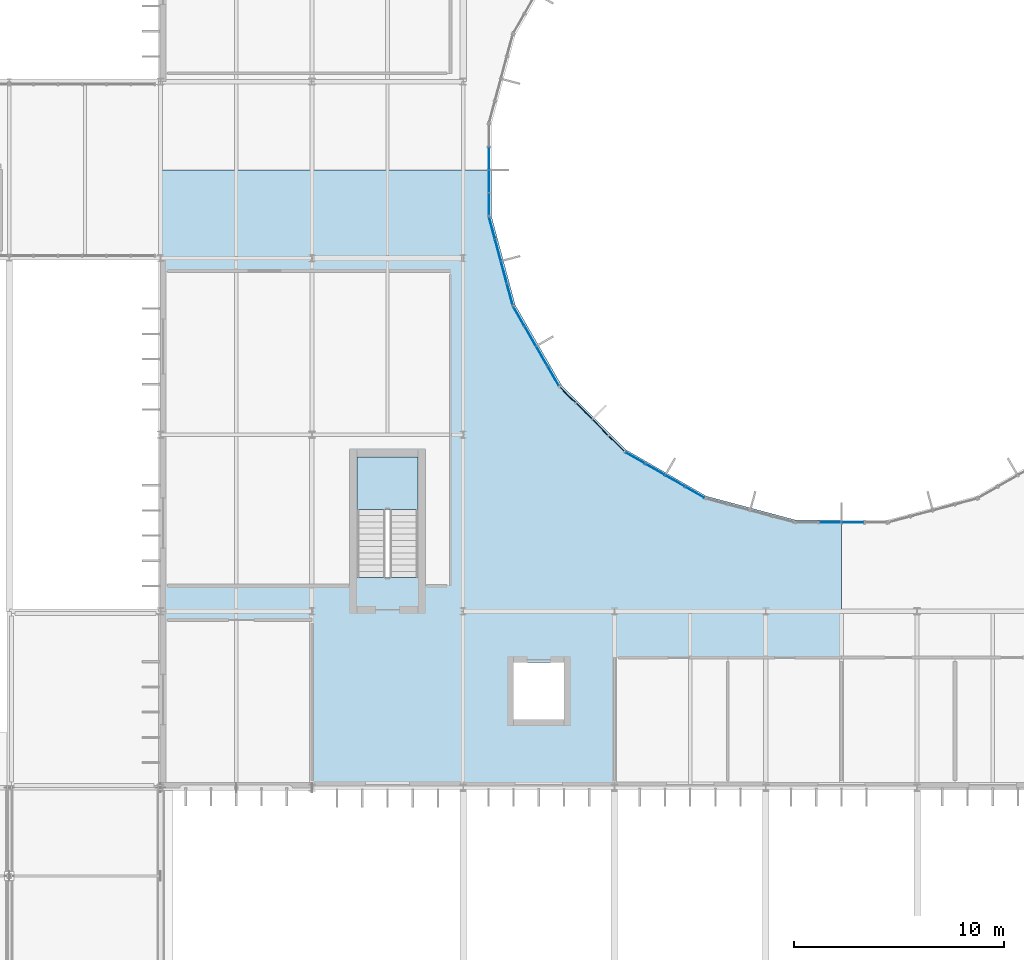
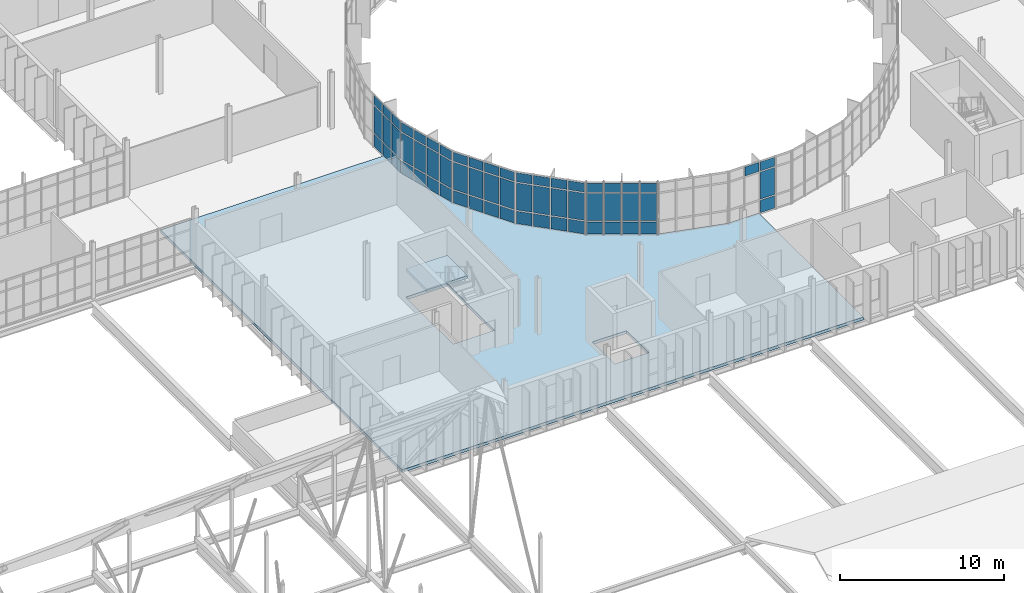
# One storey, part 59 of 99: 61 plates, 2 slabs, 7 elements without a shape of their own.
"""IFC4 building model written with IfcOpenShell, lengths in metres."""

from ifc_helpers import new_model, si_unit, direction, frame, origin, origin_2d, place, context, subcontext, project, spatial, polyline, rectangle, outline, extrude, material, layer, layer_set, type_object, element, aggregate, save


model = new_model("IFC4")

# Units and contexts
model_context = context("Model", 3, precision=1e-05, world=origin(), true_north=direction((0.0, 1.0)))
body_context = subcontext(model_context, "Body", "Model", "MODEL_VIEW")
ifc_project = project(units=[si_unit("LENGTHUNIT", "METRE"), si_unit("AREAUNIT", "SQUARE_METRE"), si_unit("VOLUMEUNIT", "CUBIC_METRE"), si_unit("PLANEANGLEUNIT", "RADIAN"), si_unit("MASSUNIT", "GRAM", prefix="KILO")], contexts=[model_context])

# Site, building, storey
site_placement = place(None, origin())
site = spatial("IfcSite", under=ifc_project, at=site_placement, CompositionType="ELEMENT")
building_placement = place(site_placement, origin())
building = spatial("IfcBuilding", under=site, at=building_placement, Name="Qelthora Terrace Specialist Clinic", CompositionType="ELEMENT")
storey_placement = place(building_placement, frame((0.0, 0.0, 9.0)))
storey = spatial("IfcBuildingStorey", under=building, at=storey_placement, Name="L02", CompositionType="ELEMENT", Elevation=9.0)

# Curtain wall, plates
ifc_material_1 = material(Name="Aluminium anodized bronze", Category="aluminium")
curtain_wall_type = type_object("IfcCurtainWallType", Name="CW-CRTE-UPP", PredefinedType="NOTDEFINED", material=ifc_material_1)
curtain_wall_1_placement = place(storey_placement, origin())
curtain_wall_1 = element("IfcCurtainWall", 1, at=curtain_wall_1_placement, inside=storey, type_object=curtain_wall_type, Name="Curtain wall CW-CE-L02-12", PredefinedType="NOTDEFINED")
ifc_material_2 = material(Name="Low-E triple-silver insulating glass", Category="glass")
ifc_layer_1 = layer(ifc_material_2, 0.035888671875)
ifc_layer_set_1 = layer_set([ifc_layer_1], Name="Low-E triple-silver insulating glass")
plate_type = type_object("IfcPlateType", Name="CWP-IGU-36", PredefinedType="CURTAIN_PANEL", material=ifc_layer_set_1)
plate_1_placement = place(storey_placement, frame((109.2236328125, 63.548095703125, 0.0849609375), z_axis=(0.0, 0.0, 1.0), x_axis=(0.0, -1.0, 0.0)))
plate_1 = element("IfcPlate", 2, at=plate_1_placement, type_object=plate_type, Name="CW-CE-L02-12 glazed panel 4", PredefinedType="CURTAIN_PANEL", context=body_context, shape_type="SweptSolid", body=[
    extrude(rectangle(XDim=0.996337890625, YDim=0.035888671875, at=origin_2d()), origin(), (0.0, 0.0, 1.0), 0.919921875),
])
plate_2_placement = place(storey_placement, frame((109.2236328125, 63.548095703125, 1.094970703125), z_axis=(0.0, 0.0, 1.0), x_axis=(0.0, -1.0, 0.0)))
plate_2 = element("IfcPlate", 3, at=plate_2_placement, type_object=plate_type, Name="CW-CE-L02-12 glazed panel 5", PredefinedType="CURTAIN_PANEL", context=body_context, shape_type="SweptSolid", body=[
    extrude(rectangle(XDim=0.996337890625, YDim=0.035888671875, at=origin_2d()), origin(), (0.0, 0.0, 1.0), 2.0048828125),
])
plate_3_placement = place(storey_placement, frame((109.2236328125, 63.548095703125, 3.18994140625), z_axis=(0.0, 0.0, 1.0), x_axis=(0.0, -1.0, 0.0)))
plate_3 = element("IfcPlate", 4, at=plate_3_placement, type_object=plate_type, Name="CW-CE-L02-12 glazed panel 6", PredefinedType="CURTAIN_PANEL", context=body_context, shape_type="SweptSolid", body=[
    extrude(rectangle(XDim=0.996337890625, YDim=0.035888671875, at=origin_2d()), origin(), (0.0, 0.0, 1.0), 0.669921875),
])
plate_4_placement = place(storey_placement, frame((109.2236328125, 62.451904296875, 0.0849609375), z_axis=(0.0, 0.0, 1.0), x_axis=(0.0, -1.0, 0.0)))
plate_4 = element("IfcPlate", 5, at=plate_4_placement, type_object=plate_type, Name="CW-CE-L02-12 glazed panel 7", PredefinedType="CURTAIN_PANEL", context=body_context, shape_type="SweptSolid", body=[
    extrude(rectangle(XDim=0.996337890625, YDim=0.035888671875, at=origin_2d()), origin(), (0.0, 0.0, 1.0), 0.919921875),
])
plate_5_placement = place(storey_placement, frame((109.2236328125, 62.451904296875, 1.094970703125), z_axis=(0.0, 0.0, 1.0), x_axis=(0.0, -1.0, 0.0)))
plate_5 = element("IfcPlate", 6, at=plate_5_placement, type_object=plate_type, Name="CW-CE-L02-12 glazed panel 8", PredefinedType="CURTAIN_PANEL", context=body_context, shape_type="SweptSolid", body=[
    extrude(rectangle(XDim=0.996337890625, YDim=0.035888671875, at=origin_2d()), origin(), (0.0, 0.0, 1.0), 2.0048828125),
])
plate_6_placement = place(storey_placement, frame((109.2236328125, 62.451904296875, 3.18994140625), z_axis=(0.0, 0.0, 1.0), x_axis=(0.0, -1.0, 0.0)))
plate_6 = element("IfcPlate", 7, at=plate_6_placement, type_object=plate_type, Name="CW-CE-L02-12 glazed panel 9", PredefinedType="CURTAIN_PANEL", context=body_context, shape_type="SweptSolid", body=[
    extrude(rectangle(XDim=0.996337890625, YDim=0.035888671875, at=origin_2d()), origin(), (0.0, 0.0, 1.0), 0.669921875),
])
plate_7_placement = place(storey_placement, frame((109.2236328125, 61.35546875, 0.0849609375), z_axis=(0.0, 0.0, 1.0), x_axis=(0.0, -1.0, 0.0)))
plate_7 = element("IfcPlate", 8, at=plate_7_placement, type_object=plate_type, Name="CW-CE-L02-12 glazed panel 10", PredefinedType="CURTAIN_PANEL", context=body_context, shape_type="SweptSolid", body=[
    extrude(rectangle(XDim=0.996337890625, YDim=0.035888671875, at=origin_2d()), origin(), (0.0, 0.0, 1.0), 0.919921875),
])
plate_8_placement = place(storey_placement, frame((109.2236328125, 61.35546875, 1.094970703125), z_axis=(0.0, 0.0, 1.0), x_axis=(0.0, -1.0, 0.0)))
plate_8 = element("IfcPlate", 9, at=plate_8_placement, type_object=plate_type, Name="CW-CE-L02-12 glazed panel 11", PredefinedType="CURTAIN_PANEL", context=body_context, shape_type="SweptSolid", body=[
    extrude(rectangle(XDim=0.996337890625, YDim=0.035888671875, at=origin_2d()), origin(), (0.0, 0.0, 1.0), 2.0048828125),
])
plate_9_placement = place(storey_placement, frame((109.2236328125, 61.35546875, 3.18994140625), z_axis=(0.0, 0.0, 1.0), x_axis=(0.0, -1.0, 0.0)))
plate_9 = element("IfcPlate", 10, at=plate_9_placement, type_object=plate_type, Name="CW-CE-L02-12 glazed panel 12", PredefinedType="CURTAIN_PANEL", context=body_context, shape_type="SweptSolid", body=[
    extrude(rectangle(XDim=0.996337890625, YDim=0.035888671875, at=origin_2d()), origin(), (0.0, 0.0, 1.0), 0.669921875),
])
aggregate(curtain_wall_1, [plate_1, plate_2, plate_3, plate_4, plate_5, plate_6, plate_7, plate_8, plate_9])

curtain_wall_2_placement = place(storey_placement, origin())
curtain_wall_2 = element("IfcCurtainWall", 11, at=curtain_wall_2_placement, inside=storey, type_object=curtain_wall_type, Name="Curtain wall CW-CE-L02-13", PredefinedType="NOTDEFINED")
plate_10_placement = place(storey_placement, frame((109.36962890625, 60.24658203125, 0.0849609375), z_axis=(0.0, 0.0, 1.0), x_axis=(0.258819045103, -0.965925826289, 0.0)))
plate_10 = element("IfcPlate", 12, at=plate_10_placement, type_object=plate_type, Name="CW-CE-L02-13 glazed panel 1", PredefinedType="CURTAIN_PANEL", context=body_context, shape_type="SweptSolid", body=[
    extrude(rectangle(XDim=0.996337890625, YDim=0.035888671875, at=origin_2d()), origin(), (0.0, 0.0, 1.0), 0.919921875),
])
plate_11_placement = place(storey_placement, frame((109.36962890625, 60.24658203125, 1.094970703125), z_axis=(0.0, 0.0, 1.0), x_axis=(0.258819045103, -0.965925826289, 0.0)))
plate_11 = element("IfcPlate", 13, at=plate_11_placement, type_object=plate_type, Name="CW-CE-L02-13 glazed panel 2", PredefinedType="CURTAIN_PANEL", context=body_context, shape_type="SweptSolid", body=[
    extrude(rectangle(XDim=0.996337890625, YDim=0.035888671875, at=origin_2d()), origin(), (0.0, 0.0, 1.0), 2.0048828125),
])
plate_12_placement = place(storey_placement, frame((109.36962890625, 60.24658203125, 3.18994140625), z_axis=(0.0, 0.0, 1.0), x_axis=(0.258819045103, -0.965925826289, 0.0)))
plate_12 = element("IfcPlate", 14, at=plate_12_placement, type_object=plate_type, Name="CW-CE-L02-13 glazed panel 3", PredefinedType="CURTAIN_PANEL", context=body_context, shape_type="SweptSolid", body=[
    extrude(rectangle(XDim=0.996337890625, YDim=0.035888671875, at=origin_2d()), origin(), (0.0, 0.0, 1.0), 0.669921875),
])
plate_13_placement = place(storey_placement, frame((109.653564453125, 59.1875, 0.0849609375), z_axis=(0.0, 0.0, 1.0), x_axis=(0.258819045103, -0.965925826289, 0.0)))
plate_13 = element("IfcPlate", 15, at=plate_13_placement, type_object=plate_type, Name="CW-CE-L02-13 glazed panel 4", PredefinedType="CURTAIN_PANEL", context=body_context, shape_type="SweptSolid", body=[
    extrude(rectangle(XDim=0.996337890625, YDim=0.035888671875, at=origin_2d()), origin(), (0.0, 0.0, 1.0), 0.919921875),
])
plate_14_placement = place(storey_placement, frame((109.653564453125, 59.1875, 1.094970703125), z_axis=(0.0, 0.0, 1.0), x_axis=(0.258819045103, -0.965925826289, 0.0)))
plate_14 = element("IfcPlate", 16, at=plate_14_placement, type_object=plate_type, Name="CW-CE-L02-13 glazed panel 5", PredefinedType="CURTAIN_PANEL", context=body_context, shape_type="SweptSolid", body=[
    extrude(rectangle(XDim=0.996337890625, YDim=0.035888671875, at=origin_2d()), origin(), (0.0, 0.0, 1.0), 2.0048828125),
])
plate_15_placement = place(storey_placement, frame((109.653564453125, 59.1875, 3.18994140625), z_axis=(0.0, 0.0, 1.0), x_axis=(0.258819045103, -0.965925826289, 0.0)))
plate_15 = element("IfcPlate", 17, at=plate_15_placement, type_object=plate_type, Name="CW-CE-L02-13 glazed panel 6", PredefinedType="CURTAIN_PANEL", context=body_context, shape_type="SweptSolid", body=[
    extrude(rectangle(XDim=0.996337890625, YDim=0.035888671875, at=origin_2d()), origin(), (0.0, 0.0, 1.0), 0.669921875),
])
plate_16_placement = place(storey_placement, frame((109.937255859375, 58.12841796875, 0.0849609375), z_axis=(0.0, 0.0, 1.0), x_axis=(0.258819045103, -0.965925826289, 0.0)))
plate_16 = element("IfcPlate", 18, at=plate_16_placement, type_object=plate_type, Name="CW-CE-L02-13 glazed panel 7", PredefinedType="CURTAIN_PANEL", context=body_context, shape_type="SweptSolid", body=[
    extrude(rectangle(XDim=0.996337890625, YDim=0.035888671875, at=origin_2d()), origin(), (0.0, 0.0, 1.0), 0.919921875),
])
plate_17_placement = place(storey_placement, frame((109.937255859375, 58.12841796875, 1.094970703125), z_axis=(0.0, 0.0, 1.0), x_axis=(0.258819045103, -0.965925826289, 0.0)))
plate_17 = element("IfcPlate", 19, at=plate_17_placement, type_object=plate_type, Name="CW-CE-L02-13 glazed panel 8", PredefinedType="CURTAIN_PANEL", context=body_context, shape_type="SweptSolid", body=[
    extrude(rectangle(XDim=0.996337890625, YDim=0.035888671875, at=origin_2d()), origin(), (0.0, 0.0, 1.0), 2.0048828125),
])
plate_18_placement = place(storey_placement, frame((109.937255859375, 58.12841796875, 3.18994140625), z_axis=(0.0, 0.0, 1.0), x_axis=(0.258819045103, -0.965925826289, 0.0)))
plate_18 = element("IfcPlate", 20, at=plate_18_placement, type_object=plate_type, Name="CW-CE-L02-13 glazed panel 9", PredefinedType="CURTAIN_PANEL", context=body_context, shape_type="SweptSolid", body=[
    extrude(rectangle(XDim=0.996337890625, YDim=0.035888671875, at=origin_2d()), origin(), (0.0, 0.0, 1.0), 0.669921875),
])
plate_19_placement = place(storey_placement, frame((110.220947265625, 57.0693359375, 0.0849609375), z_axis=(0.0, 0.0, 1.0), x_axis=(0.258819045103, -0.965925826289, 0.0)))
plate_19 = element("IfcPlate", 21, at=plate_19_placement, type_object=plate_type, Name="CW-CE-L02-13 glazed panel 10", PredefinedType="CURTAIN_PANEL", context=body_context, shape_type="SweptSolid", body=[
    extrude(rectangle(XDim=0.996337890625, YDim=0.035888671875, at=origin_2d()), origin(), (0.0, 0.0, 1.0), 0.919921875),
])
plate_20_placement = place(storey_placement, frame((110.220947265625, 57.0693359375, 1.094970703125), z_axis=(0.0, 0.0, 1.0), x_axis=(0.258819045103, -0.965925826289, 0.0)))
plate_20 = element("IfcPlate", 22, at=plate_20_placement, type_object=plate_type, Name="CW-CE-L02-13 glazed panel 11", PredefinedType="CURTAIN_PANEL", context=body_context, shape_type="SweptSolid", body=[
    extrude(rectangle(XDim=0.996337890625, YDim=0.035888671875, at=origin_2d()), origin(), (0.0, 0.0, 1.0), 2.0048828125),
])
plate_21_placement = place(storey_placement, frame((110.220947265625, 57.0693359375, 3.18994140625), z_axis=(0.0, 0.0, 1.0), x_axis=(0.258819045103, -0.965925826289, 0.0)))
plate_21 = element("IfcPlate", 23, at=plate_21_placement, type_object=plate_type, Name="CW-CE-L02-13 glazed panel 12", PredefinedType="CURTAIN_PANEL", context=body_context, shape_type="SweptSolid", body=[
    extrude(rectangle(XDim=0.996337890625, YDim=0.035888671875, at=origin_2d()), origin(), (0.0, 0.0, 1.0), 0.669921875),
])
aggregate(curtain_wall_2, [plate_10, plate_11, plate_12, plate_13, plate_14, plate_15, plate_16, plate_17, plate_18, plate_19, plate_20, plate_21])

curtain_wall_3_placement = place(storey_placement, origin())
curtain_wall_3 = element("IfcCurtainWall", 24, at=curtain_wall_3_placement, inside=storey, type_object=curtain_wall_type, Name="Curtain wall CW-CE-L02-14", PredefinedType="NOTDEFINED")
plate_22_placement = place(storey_placement, frame((110.64892578125, 56.0361328125, 0.0849609375), z_axis=(0.0, 0.0, 1.0), x_axis=(0.5, -0.866025403784, 0.0)))
plate_22 = element("IfcPlate", 25, at=plate_22_placement, type_object=plate_type, Name="CW-CE-L02-14 glazed panel 1", PredefinedType="CURTAIN_PANEL", context=body_context, shape_type="SweptSolid", body=[
    extrude(rectangle(XDim=0.996337890625, YDim=0.035888671875, at=origin_2d()), origin(), (0.0, 0.0, 1.0), 0.919921875),
])
plate_23_placement = place(storey_placement, frame((110.64892578125, 56.0361328125, 1.094970703125), z_axis=(0.0, 0.0, 1.0), x_axis=(0.5, -0.866025403784, 0.0)))
plate_23 = element("IfcPlate", 26, at=plate_23_placement, type_object=plate_type, Name="CW-CE-L02-14 glazed panel 2", PredefinedType="CURTAIN_PANEL", context=body_context, shape_type="SweptSolid", body=[
    extrude(rectangle(XDim=0.996337890625, YDim=0.035888671875, at=origin_2d()), origin(), (0.0, 0.0, 1.0), 2.0048828125),
])
plate_24_placement = place(storey_placement, frame((110.64892578125, 56.0361328125, 3.18994140625), z_axis=(0.0, 0.0, 1.0), x_axis=(0.5, -0.866025403784, 0.0)))
plate_24 = element("IfcPlate", 27, at=plate_24_placement, type_object=plate_type, Name="CW-CE-L02-14 glazed panel 3", PredefinedType="CURTAIN_PANEL", context=body_context, shape_type="SweptSolid", body=[
    extrude(rectangle(XDim=0.996337890625, YDim=0.035888671875, at=origin_2d()), origin(), (0.0, 0.0, 1.0), 0.669921875),
])
plate_25_placement = place(storey_placement, frame((111.197265625, 55.086669921875, 0.0849609375), z_axis=(0.0, 0.0, 1.0), x_axis=(0.5, -0.866025403784, 0.0)))
plate_25 = element("IfcPlate", 28, at=plate_25_placement, type_object=plate_type, Name="CW-CE-L02-14 glazed panel 4", PredefinedType="CURTAIN_PANEL", context=body_context, shape_type="SweptSolid", body=[
    extrude(rectangle(XDim=0.996337890625, YDim=0.035888671875, at=origin_2d()), origin(), (0.0, 0.0, 1.0), 0.919921875),
])
plate_26_placement = place(storey_placement, frame((111.197265625, 55.086669921875, 1.094970703125), z_axis=(0.0, 0.0, 1.0), x_axis=(0.5, -0.866025403784, 0.0)))
plate_26 = element("IfcPlate", 29, at=plate_26_placement, type_object=plate_type, Name="CW-CE-L02-14 glazed panel 5", PredefinedType="CURTAIN_PANEL", context=body_context, shape_type="SweptSolid", body=[
    extrude(rectangle(XDim=0.996337890625, YDim=0.035888671875, at=origin_2d()), origin(), (0.0, 0.0, 1.0), 2.0048828125),
])
plate_27_placement = place(storey_placement, frame((111.197265625, 55.086669921875, 3.18994140625), z_axis=(0.0, 0.0, 1.0), x_axis=(0.5, -0.866025403784, 0.0)))
plate_27 = element("IfcPlate", 30, at=plate_27_placement, type_object=plate_type, Name="CW-CE-L02-14 glazed panel 6", PredefinedType="CURTAIN_PANEL", context=body_context, shape_type="SweptSolid", body=[
    extrude(rectangle(XDim=0.996337890625, YDim=0.035888671875, at=origin_2d()), origin(), (0.0, 0.0, 1.0), 0.669921875),
])
plate_28_placement = place(storey_placement, frame((111.745361328125, 54.13720703125, 0.0849609375), z_axis=(0.0, 0.0, 1.0), x_axis=(0.5, -0.866025403784, 0.0)))
plate_28 = element("IfcPlate", 31, at=plate_28_placement, type_object=plate_type, Name="CW-CE-L02-14 glazed panel 7", PredefinedType="CURTAIN_PANEL", context=body_context, shape_type="SweptSolid", body=[
    extrude(rectangle(XDim=0.996337890625, YDim=0.035888671875, at=origin_2d()), origin(), (0.0, 0.0, 1.0), 0.919921875),
])
plate_29_placement = place(storey_placement, frame((111.745361328125, 54.13720703125, 1.094970703125), z_axis=(0.0, 0.0, 1.0), x_axis=(0.5, -0.866025403784, 0.0)))
plate_29 = element("IfcPlate", 32, at=plate_29_placement, type_object=plate_type, Name="CW-CE-L02-14 glazed panel 8", PredefinedType="CURTAIN_PANEL", context=body_context, shape_type="SweptSolid", body=[
    extrude(rectangle(XDim=0.996337890625, YDim=0.035888671875, at=origin_2d()), origin(), (0.0, 0.0, 1.0), 2.0048828125),
])
plate_30_placement = place(storey_placement, frame((111.745361328125, 54.13720703125, 3.18994140625), z_axis=(0.0, 0.0, 1.0), x_axis=(0.5, -0.866025403784, 0.0)))
plate_30 = element("IfcPlate", 33, at=plate_30_placement, type_object=plate_type, Name="CW-CE-L02-14 glazed panel 9", PredefinedType="CURTAIN_PANEL", context=body_context, shape_type="SweptSolid", body=[
    extrude(rectangle(XDim=0.996337890625, YDim=0.035888671875, at=origin_2d()), origin(), (0.0, 0.0, 1.0), 0.669921875),
])
plate_31_placement = place(storey_placement, frame((112.293701171875, 53.1875, 0.0849609375), z_axis=(0.0, 0.0, 1.0), x_axis=(0.5, -0.866025403784, 0.0)))
plate_31 = element("IfcPlate", 34, at=plate_31_placement, type_object=plate_type, Name="CW-CE-L02-14 glazed panel 10", PredefinedType="CURTAIN_PANEL", context=body_context, shape_type="SweptSolid", body=[
    extrude(rectangle(XDim=0.996337890625, YDim=0.035888671875, at=origin_2d()), origin(), (0.0, 0.0, 1.0), 0.919921875),
])
plate_32_placement = place(storey_placement, frame((112.293701171875, 53.1875, 1.094970703125), z_axis=(0.0, 0.0, 1.0), x_axis=(0.5, -0.866025403784, 0.0)))
plate_32 = element("IfcPlate", 35, at=plate_32_placement, type_object=plate_type, Name="CW-CE-L02-14 glazed panel 11", PredefinedType="CURTAIN_PANEL", context=body_context, shape_type="SweptSolid", body=[
    extrude(rectangle(XDim=0.996337890625, YDim=0.035888671875, at=origin_2d()), origin(), (0.0, 0.0, 1.0), 2.0048828125),
])
plate_33_placement = place(storey_placement, frame((112.293701171875, 53.1875, 3.18994140625), z_axis=(0.0, 0.0, 1.0), x_axis=(0.5, -0.866025403784, 0.0)))
plate_33 = element("IfcPlate", 36, at=plate_33_placement, type_object=plate_type, Name="CW-CE-L02-14 glazed panel 12", PredefinedType="CURTAIN_PANEL", context=body_context, shape_type="SweptSolid", body=[
    extrude(rectangle(XDim=0.996337890625, YDim=0.035888671875, at=origin_2d()), origin(), (0.0, 0.0, 1.0), 0.669921875),
])
aggregate(curtain_wall_3, [plate_22, plate_23, plate_24, plate_25, plate_26, plate_27, plate_28, plate_29, plate_30, plate_31, plate_32, plate_33])

curtain_wall_4_placement = place(storey_placement, origin())
curtain_wall_4 = element("IfcCurtainWall", 37, at=curtain_wall_4_placement, inside=storey, type_object=curtain_wall_type, Name="Curtain wall CW-CE-L02-15", PredefinedType="NOTDEFINED")
plate_34_placement = place(storey_placement, frame((112.974365234375, 52.30029296875, 0.0849609375), z_axis=(0.0, 0.0, 1.0), x_axis=(0.707106781187, -0.707106781187, 0.0)))
plate_34 = element("IfcPlate", 38, at=plate_34_placement, type_object=plate_type, Name="CW-CE-L02-15 glazed panel 1", PredefinedType="CURTAIN_PANEL", context=body_context, shape_type="SweptSolid", body=[
    extrude(rectangle(XDim=0.996337890625, YDim=0.035888671875, at=origin_2d()), origin(), (0.0, 0.0, 1.0), 0.919921875),
])
plate_35_placement = place(storey_placement, frame((112.974365234375, 52.30029296875, 1.094970703125), z_axis=(0.0, 0.0, 1.0), x_axis=(0.707106781187, -0.707106781187, 0.0)))
plate_35 = element("IfcPlate", 39, at=plate_35_placement, type_object=plate_type, Name="CW-CE-L02-15 glazed panel 2", PredefinedType="CURTAIN_PANEL", context=body_context, shape_type="SweptSolid", body=[
    extrude(rectangle(XDim=0.996337890625, YDim=0.035888671875, at=origin_2d()), origin(), (0.0, 0.0, 1.0), 2.0048828125),
])
plate_36_placement = place(storey_placement, frame((112.974365234375, 52.30029296875, 3.18994140625), z_axis=(0.0, 0.0, 1.0), x_axis=(0.707106781187, -0.707106781187, 0.0)))
plate_36 = element("IfcPlate", 40, at=plate_36_placement, type_object=plate_type, Name="CW-CE-L02-15 glazed panel 3", PredefinedType="CURTAIN_PANEL", context=body_context, shape_type="SweptSolid", body=[
    extrude(rectangle(XDim=0.996337890625, YDim=0.035888671875, at=origin_2d()), origin(), (0.0, 0.0, 1.0), 0.669921875),
])
plate_37_placement = place(storey_placement, frame((113.749755859375, 51.525146484375, 0.0849609375), z_axis=(0.0, 0.0, 1.0), x_axis=(0.707106781187, -0.707106781187, 0.0)))
plate_37 = element("IfcPlate", 41, at=plate_37_placement, type_object=plate_type, Name="CW-CE-L02-15 glazed panel 4", PredefinedType="CURTAIN_PANEL", context=body_context, shape_type="SweptSolid", body=[
    extrude(rectangle(XDim=0.996337890625, YDim=0.035888671875, at=origin_2d()), origin(), (0.0, 0.0, 1.0), 0.919921875),
])
plate_38_placement = place(storey_placement, frame((113.749755859375, 51.525146484375, 1.094970703125), z_axis=(0.0, 0.0, 1.0), x_axis=(0.707106781187, -0.707106781187, 0.0)))
plate_38 = element("IfcPlate", 42, at=plate_38_placement, type_object=plate_type, Name="CW-CE-L02-15 glazed panel 5", PredefinedType="CURTAIN_PANEL", context=body_context, shape_type="SweptSolid", body=[
    extrude(rectangle(XDim=0.996337890625, YDim=0.035888671875, at=origin_2d()), origin(), (0.0, 0.0, 1.0), 2.0048828125),
])
plate_39_placement = place(storey_placement, frame((113.749755859375, 51.525146484375, 3.18994140625), z_axis=(0.0, 0.0, 1.0), x_axis=(0.707106781187, -0.707106781187, 0.0)))
plate_39 = element("IfcPlate", 43, at=plate_39_placement, type_object=plate_type, Name="CW-CE-L02-15 glazed panel 6", PredefinedType="CURTAIN_PANEL", context=body_context, shape_type="SweptSolid", body=[
    extrude(rectangle(XDim=0.996337890625, YDim=0.035888671875, at=origin_2d()), origin(), (0.0, 0.0, 1.0), 0.669921875),
])
plate_40_placement = place(storey_placement, frame((114.525146484375, 50.749755859375, 0.0849609375), z_axis=(0.0, 0.0, 1.0), x_axis=(0.707106781187, -0.707106781187, 0.0)))
plate_40 = element("IfcPlate", 44, at=plate_40_placement, type_object=plate_type, Name="CW-CE-L02-15 glazed panel 7", PredefinedType="CURTAIN_PANEL", context=body_context, shape_type="SweptSolid", body=[
    extrude(rectangle(XDim=0.996337890625, YDim=0.035888671875, at=origin_2d()), origin(), (0.0, 0.0, 1.0), 0.919921875),
])
plate_41_placement = place(storey_placement, frame((114.525146484375, 50.749755859375, 1.094970703125), z_axis=(0.0, 0.0, 1.0), x_axis=(0.707106781187, -0.707106781187, 0.0)))
plate_41 = element("IfcPlate", 45, at=plate_41_placement, type_object=plate_type, Name="CW-CE-L02-15 glazed panel 8", PredefinedType="CURTAIN_PANEL", context=body_context, shape_type="SweptSolid", body=[
    extrude(rectangle(XDim=0.996337890625, YDim=0.035888671875, at=origin_2d()), origin(), (0.0, 0.0, 1.0), 2.0048828125),
])
plate_42_placement = place(storey_placement, frame((114.525146484375, 50.749755859375, 3.18994140625), z_axis=(0.0, 0.0, 1.0), x_axis=(0.707106781187, -0.707106781187, 0.0)))
plate_42 = element("IfcPlate", 46, at=plate_42_placement, type_object=plate_type, Name="CW-CE-L02-15 glazed panel 9", PredefinedType="CURTAIN_PANEL", context=body_context, shape_type="SweptSolid", body=[
    extrude(rectangle(XDim=0.996337890625, YDim=0.035888671875, at=origin_2d()), origin(), (0.0, 0.0, 1.0), 0.669921875),
])
plate_43_placement = place(storey_placement, frame((115.30029296875, 49.974365234375, 0.0849609375), z_axis=(0.0, 0.0, 1.0), x_axis=(0.707106781187, -0.707106781187, 0.0)))
plate_43 = element("IfcPlate", 47, at=plate_43_placement, type_object=plate_type, Name="CW-CE-L02-15 glazed panel 10", PredefinedType="CURTAIN_PANEL", context=body_context, shape_type="SweptSolid", body=[
    extrude(rectangle(XDim=0.996337890625, YDim=0.035888671875, at=origin_2d()), origin(), (0.0, 0.0, 1.0), 0.919921875),
])
plate_44_placement = place(storey_placement, frame((115.30029296875, 49.974365234375, 1.094970703125), z_axis=(0.0, 0.0, 1.0), x_axis=(0.707106781187, -0.707106781187, 0.0)))
plate_44 = element("IfcPlate", 48, at=plate_44_placement, type_object=plate_type, Name="CW-CE-L02-15 glazed panel 11", PredefinedType="CURTAIN_PANEL", context=body_context, shape_type="SweptSolid", body=[
    extrude(rectangle(XDim=0.996337890625, YDim=0.035888671875, at=origin_2d()), origin(), (0.0, 0.0, 1.0), 2.0048828125),
])
plate_45_placement = place(storey_placement, frame((115.30029296875, 49.974365234375, 3.18994140625), z_axis=(0.0, 0.0, 1.0), x_axis=(0.707106781187, -0.707106781187, 0.0)))
plate_45 = element("IfcPlate", 49, at=plate_45_placement, type_object=plate_type, Name="CW-CE-L02-15 glazed panel 12", PredefinedType="CURTAIN_PANEL", context=body_context, shape_type="SweptSolid", body=[
    extrude(rectangle(XDim=0.996337890625, YDim=0.035888671875, at=origin_2d()), origin(), (0.0, 0.0, 1.0), 0.669921875),
])
aggregate(curtain_wall_4, [plate_34, plate_35, plate_36, plate_37, plate_38, plate_39, plate_40, plate_41, plate_42, plate_43, plate_44, plate_45])

curtain_wall_5_placement = place(storey_placement, origin())
curtain_wall_5 = element("IfcCurtainWall", 50, at=curtain_wall_5_placement, inside=storey, type_object=curtain_wall_type, Name="Curtain wall CW-CE-L02-16", PredefinedType="NOTDEFINED")
plate_46_placement = place(storey_placement, frame((116.1875, 49.293701171875, 0.0849609375), z_axis=(0.0, 0.0, 1.0), x_axis=(0.866025403784, -0.5, 0.0)))
plate_46 = element("IfcPlate", 51, at=plate_46_placement, type_object=plate_type, Name="CW-CE-L02-16 glazed panel 1", PredefinedType="CURTAIN_PANEL", context=body_context, shape_type="SweptSolid", body=[
    extrude(rectangle(XDim=0.996337890625, YDim=0.035888671875, at=origin_2d()), origin(), (0.0, 0.0, 1.0), 0.919921875),
])
plate_47_placement = place(storey_placement, frame((116.1875, 49.293701171875, 1.094970703125), z_axis=(0.0, 0.0, 1.0), x_axis=(0.866025403784, -0.5, 0.0)))
plate_47 = element("IfcPlate", 52, at=plate_47_placement, type_object=plate_type, Name="CW-CE-L02-16 glazed panel 2", PredefinedType="CURTAIN_PANEL", context=body_context, shape_type="SweptSolid", body=[
    extrude(rectangle(XDim=0.996337890625, YDim=0.035888671875, at=origin_2d()), origin(), (0.0, 0.0, 1.0), 2.0048828125),
])
plate_48_placement = place(storey_placement, frame((116.1875, 49.293701171875, 3.18994140625), z_axis=(0.0, 0.0, 1.0), x_axis=(0.866025403784, -0.5, 0.0)))
plate_48 = element("IfcPlate", 53, at=plate_48_placement, type_object=plate_type, Name="CW-CE-L02-16 glazed panel 3", PredefinedType="CURTAIN_PANEL", context=body_context, shape_type="SweptSolid", body=[
    extrude(rectangle(XDim=0.996337890625, YDim=0.035888671875, at=origin_2d()), origin(), (0.0, 0.0, 1.0), 0.669921875),
])
plate_49_placement = place(storey_placement, frame((117.13720703125, 48.745361328125, 0.0849609375), z_axis=(0.0, 0.0, 1.0), x_axis=(0.866025403784, -0.5, 0.0)))
plate_49 = element("IfcPlate", 54, at=plate_49_placement, type_object=plate_type, Name="CW-CE-L02-16 glazed panel 4", PredefinedType="CURTAIN_PANEL", context=body_context, shape_type="SweptSolid", body=[
    extrude(rectangle(XDim=0.996337890625, YDim=0.035888671875, at=origin_2d()), origin(), (0.0, 0.0, 1.0), 0.919921875),
])
plate_50_placement = place(storey_placement, frame((117.13720703125, 48.745361328125, 1.094970703125), z_axis=(0.0, 0.0, 1.0), x_axis=(0.866025403784, -0.5, 0.0)))
plate_50 = element("IfcPlate", 55, at=plate_50_placement, type_object=plate_type, Name="CW-CE-L02-16 glazed panel 5", PredefinedType="CURTAIN_PANEL", context=body_context, shape_type="SweptSolid", body=[
    extrude(rectangle(XDim=0.996337890625, YDim=0.035888671875, at=origin_2d()), origin(), (0.0, 0.0, 1.0), 2.0048828125),
])
plate_51_placement = place(storey_placement, frame((117.13720703125, 48.745361328125, 3.18994140625), z_axis=(0.0, 0.0, 1.0), x_axis=(0.866025403784, -0.5, 0.0)))
plate_51 = element("IfcPlate", 56, at=plate_51_placement, type_object=plate_type, Name="CW-CE-L02-16 glazed panel 6", PredefinedType="CURTAIN_PANEL", context=body_context, shape_type="SweptSolid", body=[
    extrude(rectangle(XDim=0.996337890625, YDim=0.035888671875, at=origin_2d()), origin(), (0.0, 0.0, 1.0), 0.669921875),
])
plate_52_placement = place(storey_placement, frame((118.086669921875, 48.197265625, 0.0849609375), z_axis=(0.0, 0.0, 1.0), x_axis=(0.866025403784, -0.5, 0.0)))
plate_52 = element("IfcPlate", 57, at=plate_52_placement, type_object=plate_type, Name="CW-CE-L02-16 glazed panel 7", PredefinedType="CURTAIN_PANEL", context=body_context, shape_type="SweptSolid", body=[
    extrude(rectangle(XDim=0.996337890625, YDim=0.035888671875, at=origin_2d()), origin(), (0.0, 0.0, 1.0), 0.919921875),
])
plate_53_placement = place(storey_placement, frame((118.086669921875, 48.197265625, 1.094970703125), z_axis=(0.0, 0.0, 1.0), x_axis=(0.866025403784, -0.5, 0.0)))
plate_53 = element("IfcPlate", 58, at=plate_53_placement, type_object=plate_type, Name="CW-CE-L02-16 glazed panel 8", PredefinedType="CURTAIN_PANEL", context=body_context, shape_type="SweptSolid", body=[
    extrude(rectangle(XDim=0.996337890625, YDim=0.035888671875, at=origin_2d()), origin(), (0.0, 0.0, 1.0), 2.0048828125),
])
plate_54_placement = place(storey_placement, frame((118.086669921875, 48.197265625, 3.18994140625), z_axis=(0.0, 0.0, 1.0), x_axis=(0.866025403784, -0.5, 0.0)))
plate_54 = element("IfcPlate", 59, at=plate_54_placement, type_object=plate_type, Name="CW-CE-L02-16 glazed panel 9", PredefinedType="CURTAIN_PANEL", context=body_context, shape_type="SweptSolid", body=[
    extrude(rectangle(XDim=0.996337890625, YDim=0.035888671875, at=origin_2d()), origin(), (0.0, 0.0, 1.0), 0.669921875),
])
plate_55_placement = place(storey_placement, frame((119.0361328125, 47.64892578125, 0.0849609375), z_axis=(0.0, 0.0, 1.0), x_axis=(0.866025403784, -0.5, 0.0)))
plate_55 = element("IfcPlate", 60, at=plate_55_placement, type_object=plate_type, Name="CW-CE-L02-16 glazed panel 10", PredefinedType="CURTAIN_PANEL", context=body_context, shape_type="SweptSolid", body=[
    extrude(rectangle(XDim=0.996337890625, YDim=0.035888671875, at=origin_2d()), origin(), (0.0, 0.0, 1.0), 0.919921875),
])
plate_56_placement = place(storey_placement, frame((119.0361328125, 47.64892578125, 1.094970703125), z_axis=(0.0, 0.0, 1.0), x_axis=(0.866025403784, -0.5, 0.0)))
plate_56 = element("IfcPlate", 61, at=plate_56_placement, type_object=plate_type, Name="CW-CE-L02-16 glazed panel 11", PredefinedType="CURTAIN_PANEL", context=body_context, shape_type="SweptSolid", body=[
    extrude(rectangle(XDim=0.996337890625, YDim=0.035888671875, at=origin_2d()), origin(), (0.0, 0.0, 1.0), 2.0048828125),
])
plate_57_placement = place(storey_placement, frame((119.0361328125, 47.64892578125, 3.18994140625), z_axis=(0.0, 0.0, 1.0), x_axis=(0.866025403784, -0.5, 0.0)))
plate_57 = element("IfcPlate", 62, at=plate_57_placement, type_object=plate_type, Name="CW-CE-L02-16 glazed panel 12", PredefinedType="CURTAIN_PANEL", context=body_context, shape_type="SweptSolid", body=[
    extrude(rectangle(XDim=0.996337890625, YDim=0.035888671875, at=origin_2d()), origin(), (0.0, 0.0, 1.0), 0.669921875),
])
aggregate(curtain_wall_5, [plate_46, plate_47, plate_48, plate_49, plate_50, plate_51, plate_52, plate_53, plate_54, plate_55, plate_56, plate_57])

curtain_wall_6_placement = place(storey_placement, origin())
curtain_wall_6 = element("IfcCurtainWall", 63, at=curtain_wall_6_placement, inside=storey, type_object=curtain_wall_type, Name="Curtain wall CW-CE-L02-18", PredefinedType="NOTDEFINED")
plate_58_placement = place(storey_placement, frame((125.451904296875, 46.2236328125, 3.18994140625), z_axis=(0.0, 0.0, 1.0), x_axis=(1.0, 0.0, 0.0)))
plate_58 = element("IfcPlate", 64, at=plate_58_placement, type_object=plate_type, Name="CW-CE-L02-18 glazed panel 6", PredefinedType="CURTAIN_PANEL", context=body_context, shape_type="SweptSolid", body=[
    extrude(rectangle(XDim=0.996337890625, YDim=0.035888671875, at=origin_2d()), origin(), (0.0, 0.0, 1.0), 0.669921875),
])
plate_59_placement = place(storey_placement, frame((126.548095703125, 46.2236328125, 0.0849609375), z_axis=(0.0, 0.0, 1.0), x_axis=(1.0, 0.0, 0.0)))
plate_59 = element("IfcPlate", 65, at=plate_59_placement, type_object=plate_type, Name="CW-CE-L02-18 glazed panel 7", PredefinedType="CURTAIN_PANEL", context=body_context, shape_type="SweptSolid", body=[
    extrude(rectangle(XDim=0.996337890625, YDim=0.035888671875, at=origin_2d()), origin(), (0.0, 0.0, 1.0), 0.919921875),
])
plate_60_placement = place(storey_placement, frame((126.548095703125, 46.2236328125, 1.094970703125), z_axis=(0.0, 0.0, 1.0), x_axis=(1.0, 0.0, 0.0)))
plate_60 = element("IfcPlate", 66, at=plate_60_placement, type_object=plate_type, Name="CW-CE-L02-18 glazed panel 8", PredefinedType="CURTAIN_PANEL", context=body_context, shape_type="SweptSolid", body=[
    extrude(rectangle(XDim=0.996337890625, YDim=0.035888671875, at=origin_2d()), origin(), (0.0, 0.0, 1.0), 2.0048828125),
])
plate_61_placement = place(storey_placement, frame((126.548095703125, 46.2236328125, 3.18994140625), z_axis=(0.0, 0.0, 1.0), x_axis=(1.0, 0.0, 0.0)))
plate_61 = element("IfcPlate", 67, at=plate_61_placement, type_object=plate_type, Name="CW-CE-L02-18 glazed panel 9", PredefinedType="CURTAIN_PANEL", context=body_context, shape_type="SweptSolid", body=[
    extrude(rectangle(XDim=0.996337890625, YDim=0.035888671875, at=origin_2d()), origin(), (0.0, 0.0, 1.0), 0.669921875),
])
aggregate(curtain_wall_6, [plate_58, plate_59, plate_60, plate_61])

# Slab
ifc_material_3 = material(Name="Concrete C30/37", Category="concrete")
ifc_layer_2 = layer(ifc_material_3, 0.219970703125)
ifc_layer_set_2 = layer_set([ifc_layer_2], Name="Concrete C30/37")
slab_type_1 = type_object("IfcSlabType", Name="SLB-FLR-220-C30", PredefinedType="FLOOR", material=ifc_layer_set_2)
slab_1_placement = place(storey_placement, frame((0.0, 0.0, -0.219970703125)))
element("IfcSlab", 68, at=slab_1_placement, inside=storey, type_object=slab_type_1, Name="L02 V4 slab SLB-L02-V4-1A", PredefinedType="FLOOR", context=body_context, shape_type="SweptSolid", body=[
    extrude(outline(polyline([(93.60009765625, 33.60009765625), (93.60009765625, 63.0), (109.34375, 63.0), (109.34375, 60.80712890625), (110.478759765625, 56.57080078125), (112.671630859375, 52.772705078125), (115.772705078125, 49.671630859375), (119.57080078125, 47.478759765625), (123.80712890625, 46.34375), (126.0, 46.34375), (126.0, 33.60009765625), (93.60009765625, 33.60009765625)]), holes=[polyline([(112.800048828125, 36.85009765625), (112.800048828125, 39.550048828125), (110.39990234375, 39.550048828125), (110.39990234375, 36.85009765625), (112.800048828125, 36.85009765625)]), polyline([(105.85009765625, 43.6005859375), (105.85009765625, 49.35009765625), (102.949951171875, 49.35009765625), (102.949951171875, 43.6005859375), (105.85009765625, 43.6005859375)])]), origin(), (0.0, 0.0, 1.0), 0.219970703125),
])

# Stair, slab
stair_type = type_object("IfcStairType", Name="STR-175-295", PredefinedType="HALF_TURN_STAIR", material=ifc_material_3)
stair_placement = place(storey_placement, origin())
stair = element("IfcStair", 69, at=stair_placement, inside=storey, type_object=stair_type, Name="L02 Enclosed Exit Stair ST-05", PredefinedType="HALF_TURN_STAIR")
ifc_layer_3 = layer(ifc_material_3, 0.199951171875)
ifc_layer_set_3 = layer_set([ifc_layer_3], Name="Concrete C30/37")
slab_type_2 = type_object("IfcSlabType", Name="SLB-LAND-200-C30", PredefinedType="LANDING", material=ifc_layer_set_3)
slab_2_placement = place(storey_placement, frame((0.0, 0.0, 1.89990234375)))
slab_2 = element("IfcSlab", 70, at=slab_2_placement, type_object=slab_type_2, Name="ST-05 landing 1", PredefinedType="LANDING", context=body_context, shape_type="SweptSolid", body=[
    extrude(outline(polyline([(105.85009765625, 46.844970703125), (105.85009765625, 49.35009765625), (102.949951171875, 49.35009765625), (102.949951171875, 46.844970703125), (105.85009765625, 46.844970703125)])), origin(), (0.0, 0.0, 1.0), 0.2001953125),
])
aggregate(stair, [slab_2])

save(model, "model.ifc")
